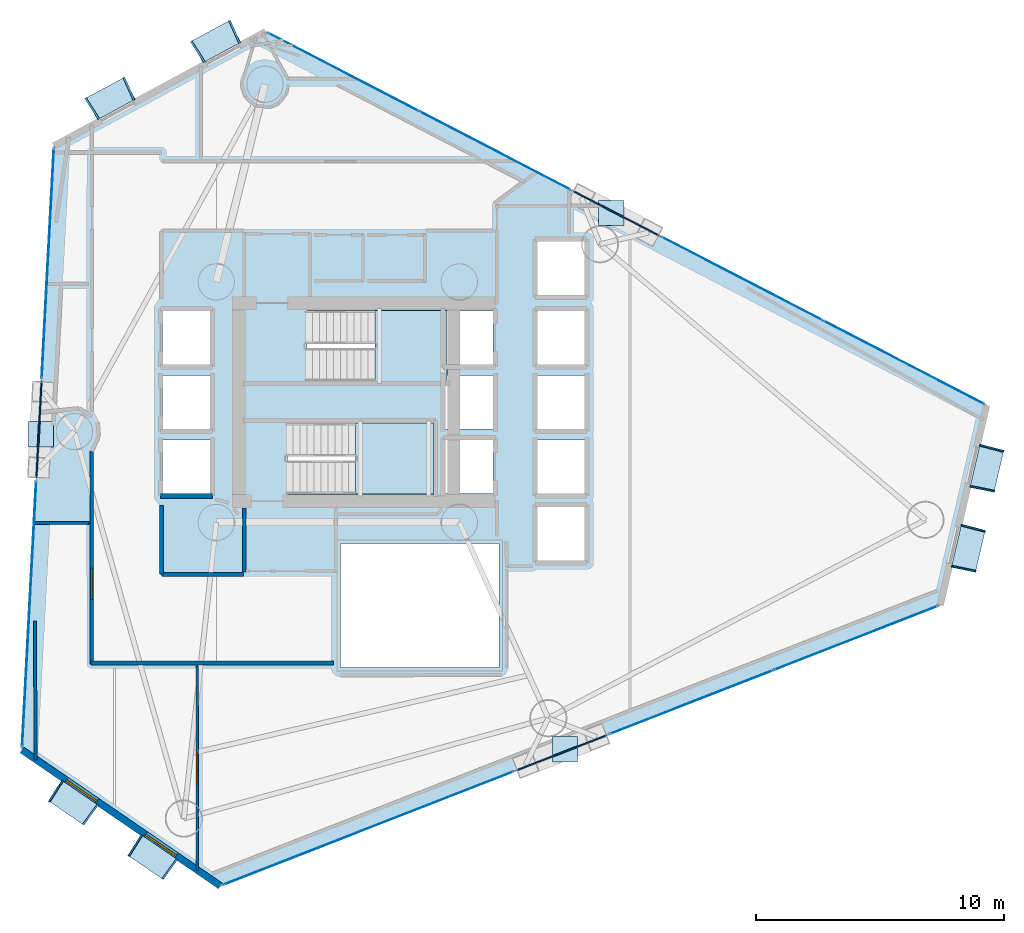
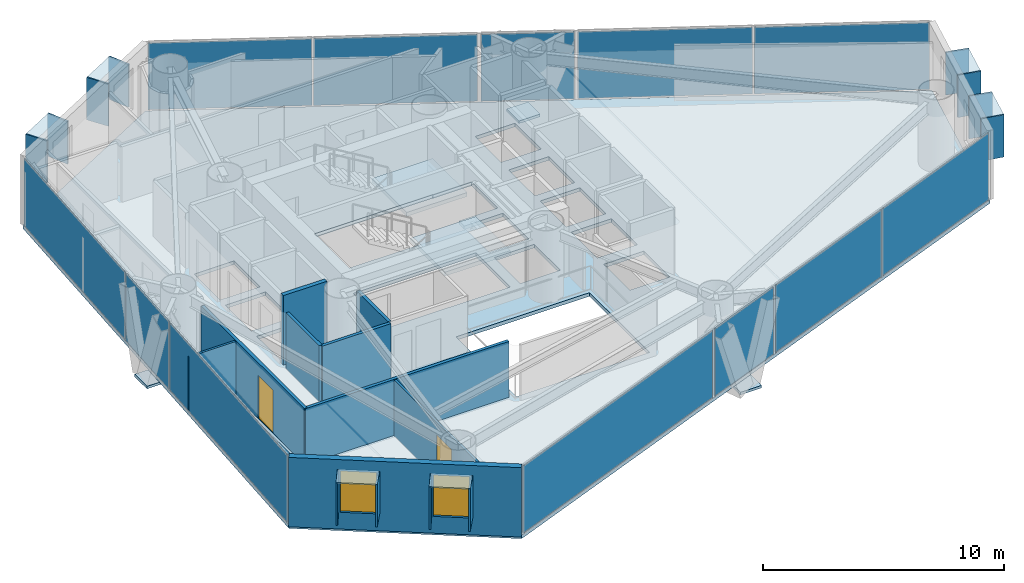
# One storey, part 15 of 21: 33 plates, 10 walls, 3 slabs, 2 doors, 2 windows, 4 openings, 11 elements without a shape of their own.
"""IFC4 building model written with IfcOpenShell, lengths in metres."""

from ifc_helpers import new_model, si_unit, direction, frame, frame_2d, origin, origin_2d, place, context, subcontext, project, spatial, polyline, rectangle, outline, extrude, material, layer, layer_set, type_object, element, fill, aggregate, save


model = new_model("IFC4")

# Units and contexts
model_context = context("Model", 3, precision=1e-05, world=origin(), true_north=direction((0.0, 1.0)))
body_context = subcontext(model_context, "Body", "Model", "MODEL_VIEW")
ifc_project = project(units=[si_unit("LENGTHUNIT", "METRE"), si_unit("AREAUNIT", "SQUARE_METRE"), si_unit("VOLUMEUNIT", "CUBIC_METRE"), si_unit("PLANEANGLEUNIT", "RADIAN"), si_unit("MASSUNIT", "GRAM", prefix="KILO")], contexts=[model_context])

# Site, building, storey
site_placement = place(None, origin())
site = spatial("IfcSite", under=ifc_project, at=site_placement, CompositionType="ELEMENT")
building_placement = place(site_placement, origin())
building = spatial("IfcBuilding", under=site, at=building_placement, Name="Qianvela Tower", CompositionType="ELEMENT")
storey_placement = place(building_placement, frame((0.0, 0.0, 131.10009765625)))
storey = spatial("IfcBuildingStorey", under=building, at=storey_placement, Name="L33", CompositionType="ELEMENT", Elevation=131.10009765625)

# Curtain wall, plate
ifc_material_1 = material(Name="Anodised Architectural Aluminium and Insulated Spandrel Panel", Category="aluminium")
ifc_layer_1 = layer(ifc_material_1, 0.179931640625)
ifc_layer_set_1 = layer_set([ifc_layer_1], Name="Anodised Architectural Aluminium and Insulated Spandrel Panel")
curtain_wall_type_1 = type_object("IfcCurtainWallType", Name="CW-BRACEBAY", PredefinedType="USERDEFINED", material=ifc_layer_set_1)
curtain_wall_1_placement = place(storey_placement, origin())
curtain_wall_1 = element("IfcCurtainWall", 1, at=curtain_wall_1_placement, inside=storey, type_object=curtain_wall_type_1, Name="L33 CW-BRACEBAY Curtain Wall 02B", ObjectType="CURTAIN_WALL_SYSTEM", PredefinedType="USERDEFINED")
ifc_material_2 = material(Name="Insulated Aluminium Spandrel Panel with Mineral-Wool Backpan", Category="aluminium")
ifc_layer_2 = layer(ifc_material_2, 0.06005859375)
ifc_layer_set_2 = layer_set([ifc_layer_2], Name="Insulated Aluminium Spandrel Panel with Mineral-Wool Backpan")
plate_type_1 = type_object("IfcPlateType", Name="CW-BRACEBAY-PNL", PredefinedType="CURTAIN_PANEL", material=ifc_layer_set_2)
plate_1_placement = place(storey_placement, frame((44.71923828125, 36.317626953125, 0.06494140625), z_axis=(0.0, 0.0, 1.0), x_axis=(-0.887877310085, 0.46008029977, 0.0)))
plate_1 = element("IfcPlate", 2, at=plate_1_placement, type_object=plate_type_1, Name="CW-9 panel 1.1", PredefinedType="CURTAIN_PANEL", context=body_context, shape_type="SweptSolid", body=[
    extrude(rectangle(XDim=3.89990234375, YDim=0.06005859375, at=origin_2d()), origin(), (0.0, 0.0, 1.0), 3.389892578125),
])
aggregate(curtain_wall_1, [plate_1])

curtain_wall_2_placement = place(storey_placement, origin())
curtain_wall_2 = element("IfcCurtainWall", 3, at=curtain_wall_2_placement, inside=storey, type_object=curtain_wall_type_1, Name="L33 CW-BRACEBAY Curtain Wall 04B", ObjectType="CURTAIN_WALL_SYSTEM", PredefinedType="USERDEFINED")
plate_2_placement = place(storey_placement, frame((21.450439453125, 27.592529296875, 0.06494140625), z_axis=(0.0, 0.0, 1.0), x_axis=(-0.053052434325, -0.998591727991, 0.0)))
plate_2 = element("IfcPlate", 4, at=plate_2_placement, type_object=plate_type_1, Name="CW-9 panel 1.1", PredefinedType="CURTAIN_PANEL", context=body_context, shape_type="SweptSolid", body=[
    extrude(rectangle(XDim=3.89990234375, YDim=0.06005859375, at=origin_2d()), origin(), (0.0, 0.0, 1.0), 3.389892578125),
])
aggregate(curtain_wall_2, [plate_2])

curtain_wall_3_placement = place(storey_placement, origin())
curtain_wall_3 = element("IfcCurtainWall", 5, at=curtain_wall_3_placement, inside=storey, type_object=curtain_wall_type_1, Name="L33 CW-BRACEBAY Curtain Wall 06B", ObjectType="CURTAIN_WALL_SYSTEM", PredefinedType="USERDEFINED")
plate_3_placement = place(storey_placement, frame((42.52978515625, 14.56396484375, 0.06494140625), z_axis=(0.0, 0.0, 1.0), x_axis=(0.931605492125, 0.363471053926, 0.0)))
plate_3 = element("IfcPlate", 6, at=plate_3_placement, type_object=plate_type_1, Name="CW-9 panel 1.1", PredefinedType="CURTAIN_PANEL", context=body_context, shape_type="SweptSolid", body=[
    extrude(rectangle(XDim=3.900146484375, YDim=0.06005859375, at=origin_2d()), origin(), (0.0, 0.0, 1.0), 3.389892578125),
])
aggregate(curtain_wall_3, [plate_3])

# Curtain wall, plates
ifc_material_3 = material(Name="Anodised Architectural Aluminium and Low-E Glass", Category="aluminium")
ifc_layer_3 = layer(ifc_material_3, 0.169921875)
ifc_layer_set_3 = layer_set([ifc_layer_3], Name="Anodised Architectural Aluminium and Low-E Glass")
curtain_wall_type_2 = type_object("IfcCurtainWallType", Name="CW-COLIV-Z34", PredefinedType="USERDEFINED", material=ifc_layer_set_3)
curtain_wall_4_placement = place(storey_placement, origin())
curtain_wall_4 = element("IfcCurtainWall", 7, at=curtain_wall_4_placement, inside=storey, type_object=curtain_wall_type_2, Name="L33 CW-COLIV-Z34 Curtain Wall 02A", ObjectType="CURTAIN_WALL_SYSTEM", PredefinedType="USERDEFINED")
ifc_material_4 = material(Name="Double-Silver Low-E Insulated Glass", Category="glass")
ifc_layer_4 = layer(ifc_material_4, 0.028076171875)
ifc_layer_set_4 = layer_set([ifc_layer_4], Name="Double-Silver Low-E Insulated Glass")
plate_type_2 = type_object("IfcPlateType", Name="CW-COLIV-Z34-PNL", PredefinedType="CURTAIN_PANEL", material=ifc_layer_set_4)
plate_4_placement = place(storey_placement, frame((56.322509765625, 30.3046875, 0.06494140625), z_axis=(0.0, 0.0, 1.0), x_axis=(-0.887870374995, 0.460093683076, 0.0)))
plate_4 = element("IfcPlate", 8, at=plate_4_placement, type_object=plate_type_2, Name="CW-4 panel 1.1", PredefinedType="CURTAIN_PANEL", context=body_context, shape_type="SweptSolid", body=[
    extrude(rectangle(XDim=7.282470703125, YDim=0.028076171875, at=origin_2d()), origin(), (0.0, 0.0, 1.0), 3.389892578125),
])
plate_5_placement = place(storey_placement, frame((49.798828125, 33.685302734375, 0.06494140625), z_axis=(0.0, 0.0, 1.0), x_axis=(-0.887870374995, 0.460093683076, 0.0)))
plate_5 = element("IfcPlate", 9, at=plate_5_placement, type_object=plate_type_2, Name="CW-4 panel 2.1", PredefinedType="CURTAIN_PANEL", context=body_context, shape_type="SweptSolid", body=[
    extrude(rectangle(XDim=7.282470703125, YDim=0.028076171875, at=origin_2d()), origin(), (0.0, 0.0, 1.0), 3.389892578125),
])
aggregate(curtain_wall_4, [plate_4, plate_5])

curtain_wall_5_placement = place(storey_placement, origin())
curtain_wall_5 = element("IfcCurtainWall", 10, at=curtain_wall_5_placement, inside=storey, type_object=curtain_wall_type_2, Name="L33 CW-COLIV-Z34 Curtain Wall 02C", ObjectType="CURTAIN_WALL_SYSTEM", PredefinedType="USERDEFINED")
plate_6_placement = place(storey_placement, frame((39.8427734375, 38.844482421875, 0.06494140625), z_axis=(0.0, 0.0, 1.0), x_axis=(-0.887870065834, 0.460094279682, 0.0)))
plate_6 = element("IfcPlate", 11, at=plate_6_placement, type_object=plate_type_2, Name="CW-4 panel 1.1", PredefinedType="CURTAIN_PANEL", context=body_context, shape_type="SweptSolid", body=[
    extrude(rectangle(XDim=6.82421875, YDim=0.028076171875, at=origin_2d()), origin(), (0.0, 0.0, 1.0), 3.389892578125),
])
plate_7_placement = place(storey_placement, frame((33.72607421875, 42.01416015625, 0.06494140625), z_axis=(0.0, 0.0, 1.0), x_axis=(-0.887870065834, 0.460094279682, 0.0)))
plate_7 = element("IfcPlate", 12, at=plate_7_placement, type_object=plate_type_2, Name="CW-4 panel 2.1", PredefinedType="CURTAIN_PANEL", context=body_context, shape_type="SweptSolid", body=[
    extrude(rectangle(XDim=6.82421875, YDim=0.028076171875, at=origin_2d()), origin(), (0.0, 0.0, 1.0), 3.389892578125),
])
aggregate(curtain_wall_5, [plate_6, plate_7])

# Curtain wall, plate
curtain_wall_6_placement = place(storey_placement, origin())
curtain_wall_6 = element("IfcCurtainWall", 13, at=curtain_wall_6_placement, inside=storey, type_object=curtain_wall_type_2, Name="L33 CW-COLIV-Z34 Curtain Wall 04A", ObjectType="CURTAIN_WALL_SYSTEM", PredefinedType="USERDEFINED")
plate_8_placement = place(storey_placement, frame((21.80615234375, 34.293212890625, 0.06494140625), z_axis=(0.0, 0.0, 1.0), x_axis=(-0.053024439224, -0.9985932149, 0.0)))
plate_8 = element("IfcPlate", 14, at=plate_8_placement, type_object=plate_type_2, Name="CW-4 panel 1.1", PredefinedType="CURTAIN_PANEL", context=body_context, shape_type="SweptSolid", body=[
    extrude(rectangle(XDim=9.260009765625, YDim=0.028076171875, at=origin_2d()), origin(), (0.0, 0.0, 1.0), 3.389892578125),
])
aggregate(curtain_wall_6, [plate_8])

curtain_wall_7_placement = place(storey_placement, origin())
curtain_wall_7 = element("IfcCurtainWall", 15, at=curtain_wall_7_placement, inside=storey, type_object=curtain_wall_type_2, Name="L33 CW-COLIV-Z34 Curtain Wall 04C", ObjectType="CURTAIN_WALL_SYSTEM", PredefinedType="USERDEFINED")
plate_9_placement = place(storey_placement, frame((21.055419921875, 20.15380859375, 0.06494140625), z_axis=(0.0, 0.0, 1.0), x_axis=(-0.053024358685, -0.998593219177, 0.0)))
plate_9 = element("IfcPlate", 16, at=plate_9_placement, type_object=plate_type_2, Name="CW-4 panel 1.1", PredefinedType="CURTAIN_PANEL", context=body_context, shape_type="SweptSolid", body=[
    extrude(rectangle(XDim=10.738525390625, YDim=0.028076171875, at=origin_2d()), origin(), (0.0, 0.0, 1.0), 3.389892578125),
])
aggregate(curtain_wall_7, [plate_9])

curtain_wall_8_placement = place(storey_placement, origin())
curtain_wall_8 = element("IfcCurtainWall", 17, at=curtain_wall_8_placement, inside=storey, type_object=curtain_wall_type_2, Name="L33 CW-COLIV-Z34 Curtain Wall 06A", ObjectType="CURTAIN_WALL_SYSTEM", PredefinedType="USERDEFINED")
plate_10_placement = place(storey_placement, frame((34.732177734375, 11.521728515625, 0.06494140625), z_axis=(0.0, 0.0, 1.0), x_axis=(0.931608551348, 0.363463212794, 0.0)))
plate_10 = element("IfcPlate", 18, at=plate_10_placement, type_object=plate_type_2, Name="CW-4 panel 1.1", PredefinedType="CURTAIN_PANEL", context=body_context, shape_type="SweptSolid", body=[
    extrude(rectangle(XDim=12.579833984375, YDim=0.028076171875, at=origin_2d()), origin(), (0.0, 0.0, 1.0), 3.389892578125),
])
aggregate(curtain_wall_8, [plate_10])

# Curtain wall, plates
curtain_wall_9_placement = place(storey_placement, origin())
curtain_wall_9 = element("IfcCurtainWall", 19, at=curtain_wall_9_placement, inside=storey, type_object=curtain_wall_type_2, Name="L33 CW-COLIV-Z34 Curtain Wall 06C", ObjectType="CURTAIN_WALL_SYSTEM", PredefinedType="USERDEFINED")
plate_11_placement = place(storey_placement, frame((47.755615234375, 16.602783203125, 0.06494140625), z_axis=(0.0, 0.0, 1.0), x_axis=(0.931610107711, 0.363459223587, 0.0)))
plate_11 = element("IfcPlate", 20, at=plate_11_placement, type_object=plate_type_2, Name="CW-4 panel 1.1", PredefinedType="CURTAIN_PANEL", context=body_context, shape_type="SweptSolid", body=[
    extrude(rectangle(XDim=7.058837890625, YDim=0.028076171875, at=origin_2d()), origin(), (0.0, 0.0, 1.0), 3.389892578125),
])
plate_12_placement = place(storey_placement, frame((54.392333984375, 19.19189453125, 0.06494140625), z_axis=(0.0, 0.0, 1.0), x_axis=(0.931610107711, 0.363459223587, 0.0)))
plate_12 = element("IfcPlate", 21, at=plate_12_placement, type_object=plate_type_2, Name="CW-4 panel 2.1", PredefinedType="CURTAIN_PANEL", context=body_context, shape_type="SweptSolid", body=[
    extrude(rectangle(XDim=7.058837890625, YDim=0.028076171875, at=origin_2d()), origin(), (0.0, 0.0, 1.0), 3.389892578125),
])
aggregate(curtain_wall_9, [plate_11, plate_12])

# Plates
ifc_material_5 = material(Name="Steel Q420GJC", Category="steel")
ifc_layer_5 = layer(ifc_material_5, 0.1298828125)
ifc_layer_set_5 = layer_set([ifc_layer_5], Name="Steel Q420GJC")
plate_type_3 = type_object("IfcPlateType", Name="PT-ENDCAP-130", PredefinedType="USERDEFINED", material=ifc_layer_set_5)
for number, where, z_axis, x_axis, name in (
    (22, (44.523681640625, 36.32861328125, -0.603515625), (0.0, 0.0, 1.0), (1.0, 0.0, 0.0), "L33 Hollow Section End Cap Plate A"),
    (23, (21.52099609375, 27.41162109375, -0.603515625), (0.0, 0.0, 1.0), (1.0, 0.0, 0.0), "L33 Hollow Section End Cap Plate A"),
    (24, (42.665283203125, 14.70263671875, -0.603515625), (0.0, 0.0, 1.0), (1.0, 0.0, 0.0), "L33 Hollow Section End Cap Plate A"),
):
    element("IfcPlate", number, at=place(storey_placement, frame(where, z_axis=z_axis, x_axis=x_axis)), inside=storey, type_object=plate_type_3, Name=name, ObjectType="END_CAP", PredefinedType="USERDEFINED", context=body_context, shape_type="SweptSolid", body=[
        extrude(rectangle(XDim=1.02001953125, YDim=1.02001953125, at=origin_2d()), origin(), (0.0, 0.0, 1.0), 0.1298828125),
    ])

# Slab
ifc_material_6 = material(Name="Concrete C40", Category="concrete")
ifc_layer_6 = layer(ifc_material_6, 0.179931640625)
ifc_layer_set_6 = layer_set([ifc_layer_6], Name="Concrete C40")
slab_type_1 = type_object("IfcSlabType", Name="SL-FLOOR-180", PredefinedType="FLOOR", material=ifc_layer_set_6)
slab_1_placement = place(storey_placement, frame((0.0, 0.0, -0.18017578125)))
element("IfcSlab", 25, at=slab_1_placement, inside=storey, type_object=slab_type_1, Name="L33 Composite Structural Floor Slab", PredefinedType="FLOOR", context=body_context, shape_type="SweptSolid", body=[
    extrude(outline(polyline([(57.78759765625, 20.5166015625), (59.65771484375, 28.576416015625), (30.594482421875, 43.636962890625), (22.057861328125, 39.031494140625), (20.764404296875, 14.67724609375), (28.765380859375, 9.193603515625), (57.78759765625, 20.5166015625)]), holes=[polyline([(40.0, 23.0), (33.60009765625, 23.0), (33.60009765625, 18.0), (40.0, 18.0), (40.0, 23.0)]), polyline([(28.360107421875, 25.02001953125), (28.360107421875, 27.179931640625), (26.43994140625, 27.179931640625), (26.43994140625, 25.02001953125), (28.360107421875, 25.02001953125)]), polyline([(37.35009765625, 25.0), (37.35009765625, 27.860107421875), (31.469970703125, 27.860107421875), (31.469970703125, 25.0), (37.35009765625, 25.0)]), polyline([(28.360107421875, 27.6201171875), (28.360107421875, 29.780029296875), (26.43994140625, 29.780029296875), (26.43994140625, 27.6201171875), (28.360107421875, 27.6201171875)]), polyline([(37.89990234375, 32.3798828125), (37.89990234375, 32.39990234375), (32.25, 32.39990234375), (32.25, 29.5400390625), (37.840087890625, 29.5400390625), (37.840087890625, 27.6201171875), (39.760009765625, 27.6201171875), (39.760009765625, 29.780029296875), (37.89990234375, 29.780029296875), (37.89990234375, 30.219970703125), (39.760009765625, 30.219970703125), (39.760009765625, 32.3798828125), (37.89990234375, 32.3798828125)]), polyline([(28.360107421875, 30.219970703125), (28.360107421875, 32.3798828125), (26.43994140625, 32.3798828125), (26.43994140625, 30.219970703125), (28.360107421875, 30.219970703125)]), polyline([(43.4599609375, 24.47998046875), (41.5400390625, 24.47998046875), (41.5400390625, 22.320068359375), (43.4599609375, 22.320068359375), (43.4599609375, 24.47998046875)]), polyline([(39.760009765625, 25.02001953125), (39.760009765625, 27.179931640625), (37.840087890625, 27.179931640625), (37.840087890625, 25.02001953125), (39.760009765625, 25.02001953125)]), polyline([(43.4599609375, 25.02001953125), (43.4599609375, 27.179931640625), (41.5400390625, 27.179931640625), (41.5400390625, 25.02001953125), (43.4599609375, 25.02001953125)]), polyline([(43.4599609375, 27.6201171875), (43.4599609375, 29.780029296875), (41.5400390625, 29.780029296875), (41.5400390625, 27.6201171875), (43.4599609375, 27.6201171875)]), polyline([(43.4599609375, 30.219970703125), (43.4599609375, 32.3798828125), (41.5400390625, 32.3798828125), (41.5400390625, 30.219970703125), (43.4599609375, 30.219970703125)]), polyline([(43.4599609375, 33.02001953125), (43.4599609375, 35.179931640625), (41.5400390625, 35.179931640625), (41.5400390625, 33.02001953125), (43.4599609375, 33.02001953125)])]), origin(), (0.0, 0.0, 1.0), 0.18017578125),
])

# Stair, slab
ifc_material_7 = material(Name="Concrete C40", Category="concrete")
stair_type = type_object("IfcStairType", Name="ST-DOGLEG-1350-R168-N22", PredefinedType="HALF_TURN_STAIR", material=ifc_material_7)
stair_1_placement = place(storey_placement, origin())
stair_1 = element("IfcStair", 26, at=stair_1_placement, inside=storey, type_object=stair_type, Name="L33 Smoke-Proof Core Stair ST-1", PredefinedType="HALF_TURN_STAIR")
ifc_material_8 = material(Name="Concrete C40", Category="concrete")
ifc_layer_7 = layer(ifc_material_8, 0.199951171875)
ifc_layer_set_7 = layer_set([ifc_layer_7], Name="Concrete C40")
slab_type_2 = type_object("IfcSlabType", Name="SL-STAIR-LANDING-200", PredefinedType="LANDING", material=ifc_layer_set_7)
slab_2_placement = place(storey_placement, frame((0.0, 0.0, 1.64990234375)))
slab_2 = element("IfcSlab", 27, at=slab_2_placement, type_object=slab_type_2, Name="ST-1 landing 1", PredefinedType="LANDING", context=body_context, shape_type="SweptSolid", body=[
    extrude(outline(polyline([(35.0, 29.5400390625), (37.89990234375, 29.5400390625), (37.89990234375, 32.39990234375), (35.0, 32.39990234375), (35.0, 29.5400390625)])), origin(), (0.0, 0.0, 1.0), 0.199951171875),
])
aggregate(stair_1, [slab_2])

stair_2_placement = place(storey_placement, origin())
stair_2 = element("IfcStair", 28, at=stair_2_placement, inside=storey, type_object=stair_type, Name="L33 Smoke-Proof Core Stair ST-2", PredefinedType="HALF_TURN_STAIR")
slab_3_placement = place(storey_placement, frame((0.0, 0.0, 1.64990234375)))
slab_3 = element("IfcSlab", 29, at=slab_3_placement, type_object=slab_type_2, Name="ST-2 landing 1", PredefinedType="LANDING", context=body_context, shape_type="SweptSolid", body=[
    extrude(outline(polyline([(34.219970703125, 25.0), (37.35009765625, 25.0), (37.35009765625, 27.860107421875), (34.219970703125, 27.860107421875), (34.219970703125, 25.0)])), origin(), (0.0, 0.0, 1.0), 0.199951171875),
])
aggregate(stair_2, [slab_3])

# Plates
ifc_material_9 = material(Name="Vitrified Architectural Terracotta Panel", Category="masonry")
ifc_layer_8 = layer(ifc_material_9, 0.06494140625)
ifc_layer_set_8 = layer_set([ifc_layer_8], Name="Vitrified Architectural Terracotta Panel")
plate_type_4 = type_object("IfcPlateType", Name="TERRACOTTA-SUNSHADE-HOOD-FOLD-B", PredefinedType="USERDEFINED", material=ifc_layer_set_8)
for number, where, z_axis, x_axis, name in (
    (30, (58.927978515625, 22.800048828125, 2.9599609375), (0.0, 0.0, 1.0), (0.226020593821, 0.974122523694, 0.0), "L33 Terracotta Sunshade Hood FOLD-B"),
    (31, (59.67626953125, 26.02392578125, 2.9599609375), (0.0, 0.0, 1.0), (0.226020593821, 0.974122523694, 0.0), "L33 Terracotta Sunshade Hood FOLD-B"),
    (32, (22.828369140625, 12.54150390625, 2.9599609375), (0.0, 0.0, 1.0), (0.824857039439, -0.565341369871, 0.0), "L33 Terracotta Sunshade Hood FOLD-B"),
    (33, (26.02880859375, 10.347900390625, 2.9599609375), (0.0, 0.0, 1.0), (0.824857039439, -0.565341369871, 0.0), "L33 Terracotta Sunshade Hood FOLD-B"),
):
    element("IfcPlate", number, at=place(storey_placement, frame(where, z_axis=z_axis, x_axis=x_axis)), inside=storey, type_object=plate_type_4, Name=name, ObjectType="SUNSHADE", PredefinedType="USERDEFINED", context=body_context, shape_type="SweptSolid", body=[
        extrude(rectangle(XDim=1.739990234375, YDim=0.989990234375, at=origin_2d()), origin(), (0.0, 0.0, 1.0), 0.06005859375),
    ])
ifc_material_10 = material(Name="Vitrified Architectural Terracotta Panel", Category="masonry")
ifc_layer_9 = layer(ifc_material_10, 0.074951171875)
ifc_layer_set_9 = layer_set([ifc_layer_9], Name="Vitrified Architectural Terracotta Panel")
plate_type_5 = type_object("IfcPlateType", Name="TERRACOTTA-SUNSHADE-HOOD-FOLD-D", PredefinedType="USERDEFINED", material=ifc_layer_set_9)
for number, where, z_axis, x_axis, name in (
    (34, (28.595947265625, 43.234619140625, 2.9599609375), (0.0, 0.0, 1.0), (-0.880093132661, -0.474801092925, 0.0), "L33 Terracotta Sunshade Hood FOLD-D"),
    (35, (24.33642578125, 40.936767578125, 2.9599609375), (0.0, 0.0, 1.0), (-0.880093132661, -0.474801092925, 0.0), "L33 Terracotta Sunshade Hood FOLD-D"),
):
    element("IfcPlate", number, at=place(storey_placement, frame(where, z_axis=z_axis, x_axis=x_axis)), inside=storey, type_object=plate_type_5, Name=name, ObjectType="SUNSHADE", PredefinedType="USERDEFINED", context=body_context, shape_type="SweptSolid", body=[
        extrude(rectangle(XDim=1.739990234375, YDim=0.989990234375, at=origin_2d()), origin(), (0.0, 0.0, 1.0), 0.06005859375),
    ])
ifc_material_11 = material(Name="Vitrified Architectural Terracotta Side Fin Panel", Category="masonry")
ifc_layer_10 = layer(ifc_material_11, 0.070068359375)
ifc_layer_set_10 = layer_set([ifc_layer_10], Name="Vitrified Architectural Terracotta Side Fin Panel")
plate_type_6 = type_object("IfcPlateType", Name="TERRACOTTA-SUNSHADE-STRUT-FOLD-B", PredefinedType="USERDEFINED", material=ifc_layer_set_10)
for number, where, z_axis, x_axis, name in (
    (36, (58.73828125, 21.981689453125, 0.85009765625), (0.0, 0.0, 1.0), (0.196166922187, 0.980570516913, 0.0), "L33 Terracotta Sunshade Side Fin HL FOLD-B"),
    (37, (59.117919921875, 23.618408203125, 0.85009765625), (0.0, 0.0, 1.0), (0.255663429303, 0.966765851133, 0.0), "L33 Terracotta Sunshade Side Fin HR FOLD-B"),
    (38, (59.486328125, 25.205810546875, 0.85009765625), (0.0, 0.0, 1.0), (0.196166922187, 0.980570516913, 0.0), "L33 Terracotta Sunshade Side Fin HL FOLD-B"),
    (39, (59.865966796875, 26.84228515625, 0.85009765625), (0.0, 0.0, 1.0), (0.255663429303, 0.966765851133, 0.0), "L33 Terracotta Sunshade Side Fin HR FOLD-B"),
    (40, (22.135498046875, 13.016357421875, 0.85009765625), (0.0, 0.0, 1.0), (0.841737003449, -0.539887781881, 0.0), "L33 Terracotta Sunshade Side Fin HL FOLD-B"),
    (41, (23.521240234375, 12.06640625, 0.85009765625), (0.0, 0.0, 1.0), (0.807207633666, -0.590267597071, 0.0), "L33 Terracotta Sunshade Side Fin HR FOLD-B"),
    (42, (25.335693359375, 10.822998046875, 0.85009765625), (0.0, 0.0, 1.0), (0.841737003449, -0.539887781881, 0.0), "L33 Terracotta Sunshade Side Fin HL FOLD-B"),
    (43, (26.7216796875, 9.873046875, 0.85009765625), (0.0, 0.0, 1.0), (0.807207633666, -0.590267597071, 0.0), "L33 Terracotta Sunshade Side Fin HR FOLD-B"),
):
    element("IfcPlate", number, at=place(storey_placement, frame(where, z_axis=z_axis, x_axis=x_axis)), inside=storey, type_object=plate_type_6, Name=name, ObjectType="SUNSHADE", PredefinedType="USERDEFINED", context=body_context, shape_type="SweptSolid", body=[
        extrude(rectangle(XDim=0.070068359375, YDim=1.010009765625, at=origin_2d()), origin(), (0.0, 0.0, 1.0), 2.159912109375),
    ])
ifc_material_12 = material(Name="Vitrified Architectural Terracotta Side Fin Panel", Category="masonry")
ifc_layer_11 = layer(ifc_material_12, 0.080078125)
ifc_layer_set_11 = layer_set([ifc_layer_11], Name="Vitrified Architectural Terracotta Side Fin Panel")
plate_type_7 = type_object("IfcPlateType", Name="TERRACOTTA-SUNSHADE-STRUT-FOLD-D", PredefinedType="USERDEFINED", material=ifc_layer_set_11)
for number, where, z_axis, x_axis, name in (
    (44, (29.335205078125, 43.633544921875, 0.85009765625), (0.0, 0.0, 1.0), (-0.912859831591, -0.408273104513, 0.0), "L33 Terracotta Sunshade Side Fin HL FOLD-D"),
    (45, (27.856689453125, 42.8359375, 0.85009765625), (0.0, 0.0, 1.0), (-0.842486247311, -0.538717851098, 0.0), "L33 Terracotta Sunshade Side Fin HR FOLD-D"),
    (46, (25.07568359375, 41.335693359375, 0.85009765625), (0.0, 0.0, 1.0), (-0.912859831591, -0.408273104513, 0.0), "L33 Terracotta Sunshade Side Fin HL FOLD-D"),
    (47, (23.59716796875, 40.537841796875, 0.85009765625), (0.0, 0.0, 1.0), (-0.842486247311, -0.538717851098, 0.0), "L33 Terracotta Sunshade Side Fin HR FOLD-D"),
):
    element("IfcPlate", number, at=place(storey_placement, frame(where, z_axis=z_axis, x_axis=x_axis)), inside=storey, type_object=plate_type_7, Name=name, ObjectType="SUNSHADE", PredefinedType="USERDEFINED", context=body_context, shape_type="SweptSolid", body=[
        extrude(rectangle(XDim=0.080078125, YDim=1.010009765625, at=origin_2d()), origin(), (0.0, 0.0, 1.0), 2.159912109375),
    ])

# Wall, openings, windows
ifc_material_13 = material(Name="Terracotta Cladding on Concrete C40", Category="masonry")
ifc_layer_12 = layer(ifc_material_13, 0.280029296875)
ifc_layer_set_12 = layer_set([ifc_layer_12], Name="Terracotta Cladding on Concrete C40")
wall_type_1 = type_object("IfcWallType", Name="TERRACOTTA-WALL-280", PredefinedType="SOLIDWALL", material=ifc_layer_set_12)
wall_1_placement = place(storey_placement, frame((20.764404296875, 14.67724609375, 0.0), z_axis=(0.0, 0.0, 1.0), x_axis=(0.824860645318, -0.565336108705, 0.0)))
wall_1 = element("IfcWall", 48, at=wall_1_placement, inside=storey, type_object=wall_type_1, Name="L33 Terracotta Chamfer Facet Wall 5", PredefinedType="SOLIDWALL", context=body_context, shape_type="SweptSolid", body=[
    extrude(rectangle(XDim=9.69970703125, YDim=0.280029296875, at=frame_2d((4.849853515625, 0.0))), origin(), (0.0, 0.0, 1.0), 3.52001953125),
])
opening_1_placement = place(wall_1_placement, frame((2.159912109375, 0.0, 0.85009765625)))
opening_1 = element("IfcOpeningElement", 49, at=opening_1_placement, cuts=wall_1, Name="Opening W-02", PredefinedType="OPENING", context=body_context, shape_type="SweptSolid", body=[
    extrude(rectangle(XDim=1.5, YDim=2.10009765625, at=frame_2d((0.75, 1.050048828125))), frame((0.0, 0.14990234375, 0.0), z_axis=(0.0, -1.0, 0.0), x_axis=(1.0, 0.0, 0.0)), (0.0, 0.0, 1.0), 0.300048828125),
])
opening_2_placement = place(wall_1_placement, frame((6.039794921875, 0.0, 0.85009765625)))
opening_2 = element("IfcOpeningElement", 50, at=opening_2_placement, cuts=wall_1, Name="Opening W-02", PredefinedType="OPENING", context=body_context, shape_type="SweptSolid", body=[
    extrude(rectangle(XDim=1.5, YDim=2.10009765625, at=frame_2d((0.75, 1.050048828125))), frame((0.0, 0.14990234375, 0.0), z_axis=(0.0, -1.0, 0.0), x_axis=(1.0, 0.0, 0.0)), (0.0, 0.0, 1.0), 0.300048828125),
])
ifc_material_14 = material(Name="Thermally Broken Aluminium and Low-E Glass", Category="aluminium")
window_type = type_object("IfcWindowType", Name="WIN-TC-1500x2100", PartitioningType="DOUBLE_PANEL_VERTICAL", PredefinedType="WINDOW", material=ifc_material_14)
window_1_placement = place(opening_1_placement, origin())
window_1 = element("IfcWindow", 51, at=window_1_placement, inside=storey, type_object=window_type, Name="L33 Chamfer Facet Window 5.1", OverallHeight=2.10009765625, OverallWidth=1.5, PartitioningType="SINGLE_PANEL", PredefinedType="WINDOW", context=body_context, shape_type="SweptSolid", body=[
    extrude(rectangle(XDim=1.5, YDim=2.10009765625, at=frame_2d((0.75, 1.050048828125))), frame((0.0, 0.030029296875, 0.0), z_axis=(0.0, -1.0, 0.0), x_axis=(1.0, 0.0, 0.0)), (0.0, 0.0, 1.0), 0.06005859375),
])
fill(opening_1, window_1)
window_2_placement = place(opening_2_placement, origin())
window_2 = element("IfcWindow", 52, at=window_2_placement, inside=storey, type_object=window_type, Name="L33 Chamfer Facet Window 5.2", OverallHeight=2.10009765625, OverallWidth=1.5, PartitioningType="SINGLE_PANEL", PredefinedType="WINDOW", context=body_context, shape_type="SweptSolid", body=[
    extrude(rectangle(XDim=1.5, YDim=2.10009765625, at=frame_2d((0.75, 1.050048828125))), frame((0.0, 0.030029296875, 0.0), z_axis=(0.0, -1.0, 0.0), x_axis=(1.0, 0.0, 0.0)), (0.0, 0.0, 1.0), 0.06005859375),
])
fill(opening_2, window_2)

# Walls
ifc_material_15 = material(Name="Fire-Rated Acoustic Gypsum Board")
ifc_layer_13 = layer(ifc_material_15, 0.14990234375)
ifc_layer_set_13 = layer_set([ifc_layer_13], Name="Fire-Rated Acoustic Gypsum Board")
wall_type_2 = type_object("IfcWallType", Name="WT-CORR-150", PredefinedType="PARTITIONING", material=ifc_layer_set_13)
wall_2_placement = place(storey_placement, frame((29.73095703125, 21.85009765625, 0.0), z_axis=(0.0, 0.0, 1.0), x_axis=(0.0, 1.0, 0.0)))
element("IfcWall", 53, at=wall_2_placement, inside=storey, type_object=wall_type_2, Name="L33 Partition 6", PredefinedType="PARTITIONING", context=body_context, shape_type="SweptSolid", body=[
    extrude(rectangle(XDim=2.591796875, YDim=0.14990234375, at=frame_2d((1.2958984375, 0.0))), origin(), (0.0, 0.0, 1.0), 2.83984375),
])
wall_3_placement = place(storey_placement, frame((26.388916015625, 24.530517578125, 0.0), z_axis=(0.0, 0.0, 1.0), x_axis=(0.0, -1.0, 0.0)))
element("IfcWall", 54, at=wall_3_placement, inside=storey, type_object=wall_type_2, Name="L33 Partition 49", PredefinedType="PARTITIONING", context=body_context, shape_type="SweptSolid", body=[
    extrude(rectangle(XDim=2.75048828125, YDim=0.14990234375, at=frame_2d((1.375244140625, 0.0))), origin(), (0.0, 0.0, 1.0), 2.83984375),
])
wall_4_placement = place(storey_placement, frame((26.419921875, 21.7490234375, 0.0), z_axis=(0.0, 0.0, 1.0), x_axis=(1.0, 0.0, 0.0)))
element("IfcWall", 55, at=wall_4_placement, inside=storey, type_object=wall_type_2, Name="L33 Partition 50 seg 1", PredefinedType="PARTITIONING", context=body_context, shape_type="SweptSolid", body=[
    extrude(rectangle(XDim=3.280029296875, YDim=0.14990234375, at=frame_2d((1.64013671875, 0.0))), origin(), (0.0, 0.0, 1.0), 2.83984375),
])
wall_5_placement = place(storey_placement, frame((33.320068359375, 18.180908203125, 0.0), z_axis=(0.0, 0.0, 1.0), x_axis=(-1.0, 0.0, 0.0)))
element("IfcWall", 56, at=wall_5_placement, inside=storey, type_object=wall_type_2, Name="L33 Partition 51", PredefinedType="PARTITIONING", context=body_context, shape_type="SweptSolid", body=[
    extrude(rectangle(XDim=9.77001953125, YDim=0.14990234375, at=frame_2d((4.885009765625, 0.0))), origin(), (0.0, 0.0, 1.0), 2.83984375),
])

# Wall, opening, door
wall_6_placement = place(storey_placement, frame((23.5810546875, 18.14990234375, 0.0), z_axis=(0.0, 0.0, 1.0), x_axis=(0.0, 1.0, 0.0)))
wall_6 = element("IfcWall", 57, at=wall_6_placement, inside=storey, type_object=wall_type_2, Name="L33 Partition 52", PredefinedType="PARTITIONING", context=body_context, shape_type="SweptSolid", body=[
    extrude(rectangle(XDim=8.575439453125, YDim=0.14990234375, at=frame_2d((4.28759765625, 0.0))), origin(), (0.0, 0.0, 1.0), 2.83984375),
])
opening_3_placement = place(wall_6_placement, frame((2.599365234375, 0.0, 0.0)))
opening_3 = element("IfcOpeningElement", 58, at=opening_3_placement, cuts=wall_6, Name="Opening D-LG1", PredefinedType="OPENING", context=body_context, shape_type="SweptSolid", body=[
    extrude(rectangle(XDim=1.25, YDim=2.199951171875, at=frame_2d((0.625, 1.10009765625))), frame((0.0, 0.0849609375, 0.0), z_axis=(0.0, -1.0, 0.0), x_axis=(1.0, 0.0, 0.0)), (0.0, 0.0, 1.0), 0.169921875),
])
ifc_material_16 = material(Name="Anodised Aluminium Acoustic Glass Door", Category="aluminium")
door_type = type_object("IfcDoorType", Name="DT-LOUNGE-1250", OperationType="NOTDEFINED", PredefinedType="DOOR", material=ifc_material_16)
door_1_placement = place(opening_3_placement, origin())
door_1 = element("IfcDoor", 59, at=door_1_placement, inside=storey, type_object=door_type, Name="L33 Door Quiet Reading Study L33-01 to L33 Floor Corridor", OperationType="SINGLE_SWING_LEFT", OverallHeight=2.199951171875, OverallWidth=1.25, PredefinedType="DOOR", context=body_context, shape_type="SweptSolid", body=[
    extrude(rectangle(XDim=1.25, YDim=2.199951171875, at=frame_2d((0.625, 1.10009765625))), frame((0.0, 0.02490234375, 0.0), z_axis=(0.0, -1.0, 0.0), x_axis=(1.0, 0.0, 0.0)), (0.0, 0.0, 1.0), 0.050048828125),
])
fill(opening_3, door_1)

# Wall
ifc_material_17 = material(Name="Lightweight Gypsum Room Partition")
ifc_layer_14 = layer(ifc_material_17, 0.10498046875)
ifc_layer_set_14 = layer_set([ifc_layer_14], Name="Lightweight Gypsum Room Partition")
wall_type_3 = type_object("IfcWallType", Name="WT-PART-105", PredefinedType="PARTITIONING", material=ifc_layer_set_14)
wall_7_placement = place(storey_placement, frame((21.23046875, 23.826904296875, 0.0), z_axis=(0.0, 0.0, 1.0), x_axis=(1.0, 0.0, 0.0)))
element("IfcWall", 60, at=wall_7_placement, inside=storey, type_object=wall_type_3, Name="L33 Partition 55", PredefinedType="PARTITIONING", context=body_context, shape_type="SweptSolid", body=[
    extrude(rectangle(XDim=2.239501953125, YDim=0.10498046875, at=frame_2d((1.11962890625, 0.0))), origin(), (0.0, 0.0, 1.0), 2.83984375),
])

# Wall, opening, door
wall_8_placement = place(storey_placement, frame((27.826904296875, 18.070068359375, 0.0), z_axis=(0.0, 0.0, 1.0), x_axis=(0.0, -1.0, 0.0)))
wall_8 = element("IfcWall", 61, at=wall_8_placement, inside=storey, type_object=wall_type_3, Name="L33 Partition 58", PredefinedType="PARTITIONING", context=body_context, shape_type="SweptSolid", body=[
    extrude(rectangle(XDim=8.253173828125, YDim=0.10498046875, at=frame_2d((4.12646484375, 0.0))), origin(), (0.0, 0.0, 1.0), 2.83984375),
])
opening_4_placement = place(wall_8_placement, frame((3.501708984375, 0.0, 0.0)))
opening_4 = element("IfcOpeningElement", 62, at=opening_4_placement, cuts=wall_8, Name="Opening D-LG1", PredefinedType="OPENING", context=body_context, shape_type="SweptSolid", body=[
    extrude(rectangle(XDim=1.25, YDim=2.199951171875, at=frame_2d((0.625, 1.10009765625))), frame((0.0, 0.0625, 0.0), z_axis=(0.0, -1.0, 0.0), x_axis=(1.0, 0.0, 0.0)), (0.0, 0.0, 1.0), 0.125),
])
door_2_placement = place(opening_4_placement, origin())
door_2 = element("IfcDoor", 63, at=door_2_placement, inside=storey, type_object=door_type, Name="L33 Door Panoramic Study Lounge L33-02 to Quiet Reading Study L33-01", OperationType="SINGLE_SWING_LEFT", OverallHeight=2.199951171875, OverallWidth=1.25, PredefinedType="DOOR", context=body_context, shape_type="SweptSolid", body=[
    extrude(rectangle(XDim=1.25, YDim=2.199951171875, at=frame_2d((0.625, 1.10009765625))), frame((0.0, 0.02490234375, 0.0), z_axis=(0.0, -1.0, 0.0), x_axis=(1.0, 0.0, 0.0)), (0.0, 0.0, 1.0), 0.050048828125),
])
fill(opening_4, door_2)

# Walls
ifc_material_18 = material(Name="Insulated Gypsum Stud Partition")
ifc_layer_15 = layer(ifc_material_18, 0.1201171875)
ifc_layer_set_15 = layer_set([ifc_layer_15], Name="Insulated Gypsum Stud Partition")
wall_type_4 = type_object("IfcWallType", Name="WT-PART-120", PredefinedType="PARTITIONING", material=ifc_layer_set_15)
wall_9_placement = place(storey_placement, frame((21.320068359375, 14.27587890625, 0.0), z_axis=(0.0, 0.0, 1.0), x_axis=(-0.006923714897, 0.999976030799, 0.0)))
element("IfcWall", 64, at=wall_9_placement, inside=storey, type_object=wall_type_4, Name="L33 Partition 60 seg 1", PredefinedType="PARTITIONING", context=body_context, shape_type="SweptSolid", body=[
    extrude(rectangle(XDim=5.606689453125, YDim=0.1201171875, at=frame_2d((2.80322265625, 0.0))), origin(), (0.0, 0.0, 1.0), 2.83984375),
])
ifc_material_19 = material(Name="Concrete C50", Category="concrete")
ifc_layer_16 = layer(ifc_material_19, 0.199951171875)
ifc_layer_set_16 = layer_set([ifc_layer_16], Name="Concrete C50")
wall_type_5 = type_object("IfcWallType", Name="WT-SHAFT-200", PredefinedType="SOLIDWALL", material=ifc_layer_set_16)
wall_10_placement = place(storey_placement, frame((26.35009765625, 24.919921875, 0.0), z_axis=(0.0, 0.0, 1.0), x_axis=(1.0, 0.0, 0.0)))
element("IfcWall", 65, at=wall_10_placement, inside=storey, type_object=wall_type_5, Name="L33 Lift PL-L3 S Shaft Wall", PredefinedType="SOLIDWALL", context=body_context, shape_type="SweptSolid", body=[
    extrude(rectangle(XDim=2.099853515625, YDim=0.199951171875, at=frame_2d((1.0498046875, 0.0))), origin(), (0.0, 0.0, 1.0), 3.52001953125),
])

save(model, "model.ifc")
